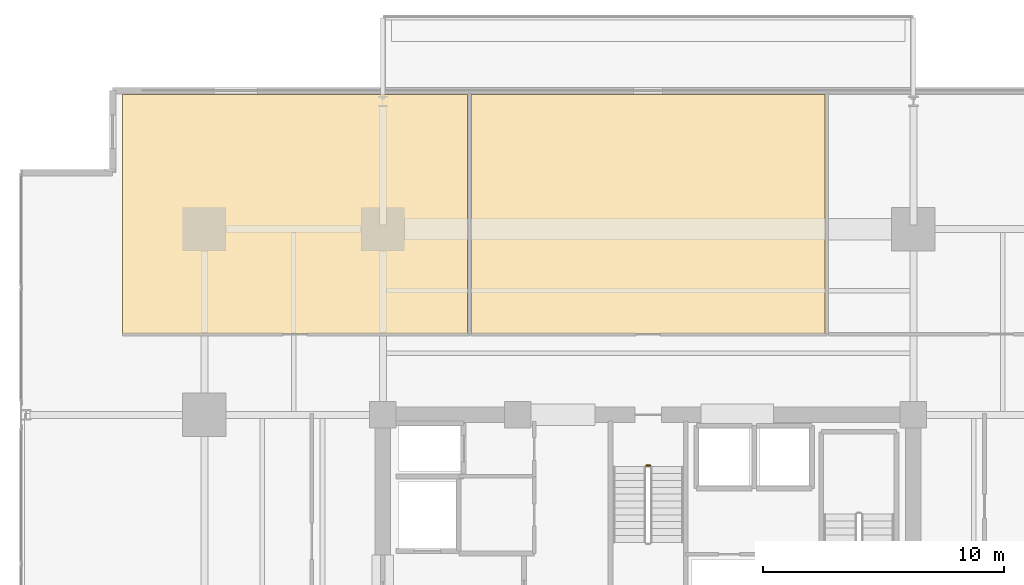
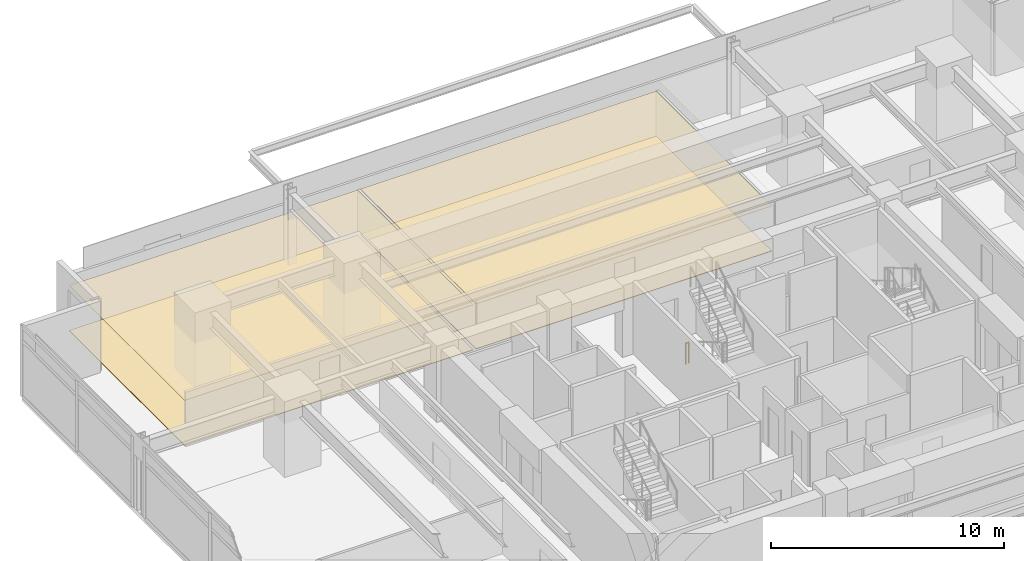
# One storey, part 24 of 25: 4 coverings, 1 railing.
"""IFC4 building model written with IfcOpenShell, lengths in metres."""

from ifc_helpers import new_model, si_unit, direction, frame, origin, origin_2d, place, context, subcontext, project, spatial, polyline, circle, outline, extrude, material, layer, layer_set, type_object, element, save


model = new_model("IFC4")

# Units and contexts
model_context = context("Model", 3, precision=1e-05, world=origin(), true_north=direction((0.0, 1.0)))
body_context = subcontext(model_context, "Body", "Model", "MODEL_VIEW")
ifc_project = project(units=[si_unit("LENGTHUNIT", "METRE"), si_unit("AREAUNIT", "SQUARE_METRE"), si_unit("VOLUMEUNIT", "CUBIC_METRE"), si_unit("PLANEANGLEUNIT", "RADIAN"), si_unit("MASSUNIT", "GRAM", prefix="KILO")], contexts=[model_context])

# Site, building, storey
site_placement = place(None, origin())
site = spatial("IfcSite", under=ifc_project, at=site_placement, CompositionType="ELEMENT")
building_placement = place(site_placement, origin())
building = spatial("IfcBuilding", under=site, at=building_placement, Name="Kovane Verandah Tower", CompositionType="ELEMENT")
storey_placement = place(building_placement, frame((0.0, 0.0, 67.60009765625)))
storey = spatial("IfcBuildingStorey", under=building, at=storey_placement, Name="L15", CompositionType="ELEMENT", Elevation=67.60009765625)

# Coverings
ifc_material_1 = material(Name="Perforated Acoustic Mineral-Fibre Ceiling Tile", Category="gypsum")
ifc_layer_1 = layer(ifc_material_1, 0.02490234375)
ifc_layer_set_1 = layer_set([ifc_layer_1], Name="Perforated Acoustic Mineral-Fibre Ceiling Tile")
covering_type_1 = type_object("IfcCoveringType", Name="CV-CEIL-25", PredefinedType="CEILING", material=ifc_layer_set_1)
covering_1_placement = place(storey_placement, frame((0.0, 0.0, 2.364990234375)))
element("IfcCovering", 1, at=covering_1_placement, inside=storey, type_object=covering_type_1, Name="L15 Meeting Room N1 Acoustic Ceiling", PredefinedType="CEILING", context=body_context, shape_type="SweptSolid", body=[
    extrude(outline(polyline([(18.198974609375, 39.85009765625), (32.517578125, 39.85009765625), (32.517578125, 49.790771484375), (18.198974609375, 49.790771484375), (18.198974609375, 39.85009765625)])), origin(), (0.0, 0.0, 1.0), 0.02490234375),
])
covering_2_placement = place(storey_placement, frame((0.0, 0.0, 2.364990234375)))
element("IfcCovering", 2, at=covering_2_placement, inside=storey, type_object=covering_type_1, Name="L15 Focus Studio N2 Acoustic Ceiling", PredefinedType="CEILING", context=body_context, shape_type="SweptSolid", body=[
    extrude(outline(polyline([(32.65771484375, 39.85009765625), (47.34228515625, 39.85009765625), (47.34228515625, 49.790771484375), (32.65771484375, 49.790771484375), (32.65771484375, 39.85009765625)])), origin(), (0.0, 0.0, 1.0), 0.02490234375),
])
ifc_material_2 = material(Name="Polished Terrazzo and Raised-Access Carpet Tile Finish", Category="concrete")
ifc_layer_2 = layer(ifc_material_2, 0.030029296875)
ifc_layer_set_2 = layer_set([ifc_layer_2], Name="Polished Terrazzo and Raised-Access Carpet Tile Finish")
covering_type_2 = type_object("IfcCoveringType", Name="CV-FLOR-30", PredefinedType="FLOORING", material=ifc_layer_set_2)
covering_3_placement = place(storey_placement, origin())
element("IfcCovering", 3, at=covering_3_placement, inside=storey, type_object=covering_type_2, Name="L15 Meeting Room N1 Floor Finish", PredefinedType="FLOORING", context=body_context, shape_type="SweptSolid", body=[
    extrude(outline(polyline([(18.198974609375, 39.85009765625), (32.517578125, 39.85009765625), (32.517578125, 49.790771484375), (18.198974609375, 49.790771484375), (18.198974609375, 39.85009765625)])), origin(), (0.0, 0.0, 1.0), 0.02978515625),
])
covering_4_placement = place(storey_placement, origin())
element("IfcCovering", 4, at=covering_4_placement, inside=storey, type_object=covering_type_2, Name="L15 Focus Studio N2 Floor Finish", PredefinedType="FLOORING", context=body_context, shape_type="SweptSolid", body=[
    extrude(outline(polyline([(32.65771484375, 39.85009765625), (47.34228515625, 39.85009765625), (47.34228515625, 49.790771484375), (32.65771484375, 49.790771484375), (32.65771484375, 39.85009765625)])), origin(), (0.0, 0.0, 1.0), 0.02978515625),
])

# Railing
ifc_material_3 = material(Name="Painted Steel Stairwell Guardrail", Category="steel")
railing_type = type_object("IfcRailingType", Name="RL-STGUARD-1120", PredefinedType="GUARDRAIL", material=ifc_material_3)
railing_placement = place(storey_placement, frame((39.919921875, 34.39990234375, 0.0)))
element("IfcRailing", 5, at=railing_placement, inside=storey, type_object=railing_type, Name="L15 ST-03 stair guard 4", PredefinedType="GUARDRAIL", context=body_context, shape_type="SweptSolid", body=[
    extrude(circle(Radius=0.02392578125, at=origin_2d()), frame((0.0, 0.0, 1.076171875), z_axis=(1.0, 0.0, 0.0), x_axis=(0.0, 1.0, 0.0)), (0.0, 0.0, 1.0), 0.16015625),
    extrude(circle(Radius=0.02099609375, at=origin_2d()), origin(), (0.0, 0.0, 1.0), 1.052001953125),
    extrude(circle(Radius=0.02099609375, at=origin_2d()), frame((0.16015625, 0.0, 0.0)), (0.0, 0.0, 1.0), 1.052001953125),
])

save(model, "model.ifc")
